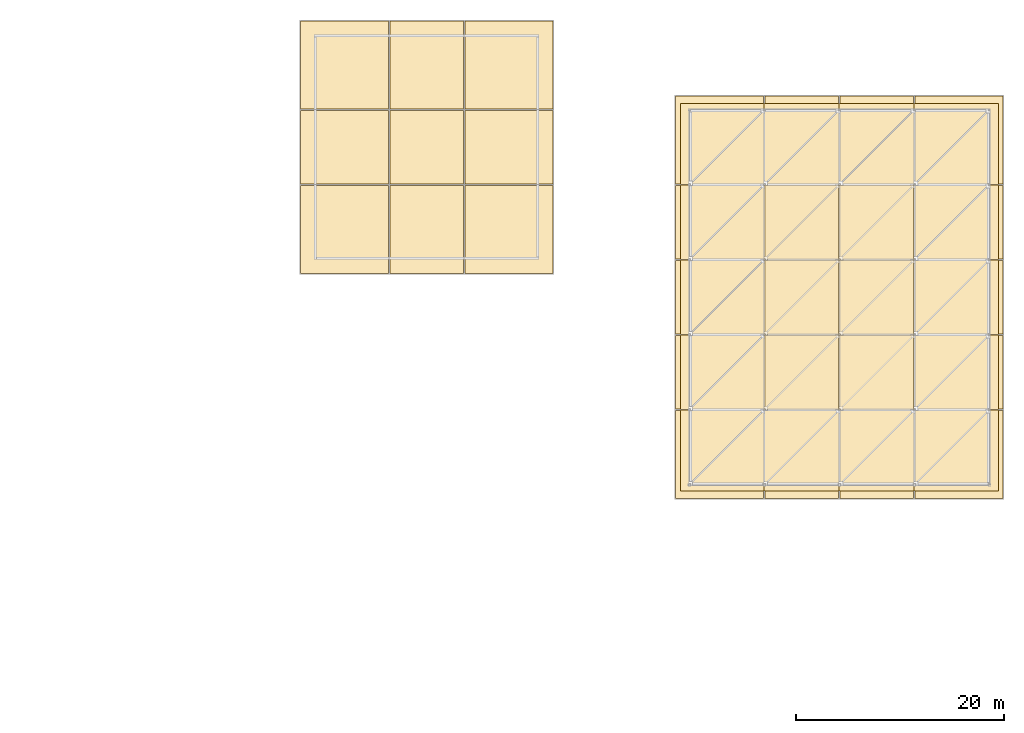
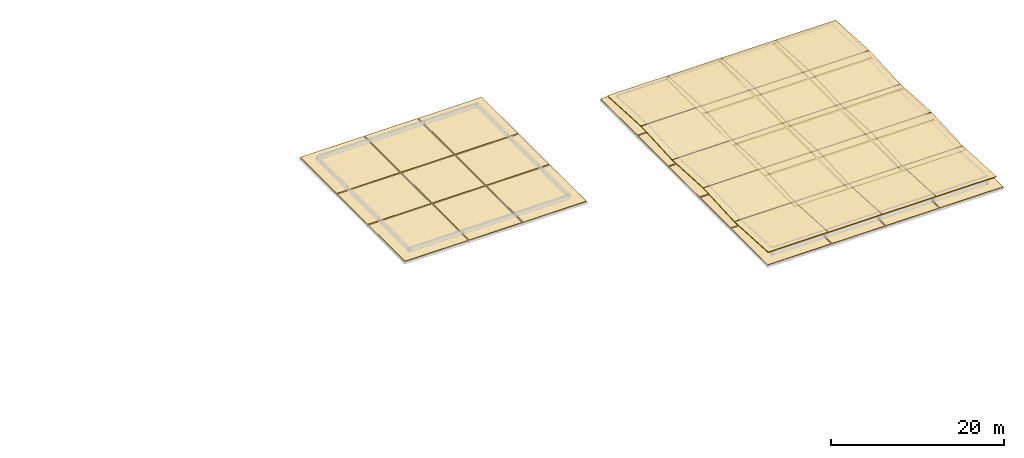
# One storey, part 15 of 15: 49 coverings.
"""IFC4 building model written with IfcOpenShell, lengths in metres."""

from ifc_helpers import new_model, si_unit, direction, frame, origin, place, context, subcontext, project, spatial, polyline, outline, extrude, material, layer, layer_set, type_object, element, save


model = new_model("IFC4")

# Units and contexts
model_context = context("Model", 3, precision=1e-05, world=origin(), true_north=direction((0.0, 1.0)))
body_context = subcontext(model_context, "Body", "Model", "MODEL_VIEW")
ifc_project = project(units=[si_unit("LENGTHUNIT", "METRE"), si_unit("AREAUNIT", "SQUARE_METRE"), si_unit("VOLUMEUNIT", "CUBIC_METRE"), si_unit("PLANEANGLEUNIT", "RADIAN"), si_unit("MASSUNIT", "GRAM", prefix="KILO")], contexts=[model_context])

# Site, building, storey
site_placement = place(None, origin())
site = spatial("IfcSite", under=ifc_project, at=site_placement, CompositionType="ELEMENT")
building_placement = place(site_placement, origin())
building = spatial("IfcBuilding", under=site, at=building_placement, Name="Kavelor Marine Aquarium", CompositionType="ELEMENT")
storey_placement = place(building_placement, frame((0.0, 0.0, 25.56005859375)))
storey = spatial("IfcBuildingStorey", under=building, at=storey_placement, Name="RF", CompositionType="ELEMENT", Elevation=25.56005859375)

# Coverings
ifc_material_1 = material(Name="Monocrystalline Marine Solar Photovoltaic Canopy Deck")
ifc_layer_1 = layer(ifc_material_1, 0.090087890625)
ifc_layer_set_1 = layer_set([ifc_layer_1], Name="COV-PV1")
covering_type_1 = type_object("IfcCoveringType", Name="COV-PV1", PredefinedType="ROOFING", material=ifc_layer_set_1)
covering_1_placement = place(storey_placement, frame((117.550048828125, 67.0, 1.26318359375), z_axis=(0.0, 0.055457872392, 0.998461027977), x_axis=(1.0, 0.0, 0.0)))
element("IfcCovering", 1, at=covering_1_placement, inside=storey, type_object=covering_type_1, Name="pv:cov:RF:16_09", PredefinedType="ROOFING", context=body_context, shape_type="SweptSolid", body=[
    extrude(outline(polyline([(0.0, 0.0), (8.030029296875, 0.0), (8.030029296875, 7.792020999192066), (0.0, 7.792020999192066), (0.0, 0.0)])), origin(), (0.0, 0.0, -1.0), 0.090087890625),
])
for number, where, z_axis, x_axis, name in (
    (2, (117.550048828125, 74.820068359375, 0.8310546875), (0.0, -0.055460591555, 0.998460876942), (1.0, 0.0, 0.0), "pv:cov:RF:16_10"),
    (3, (117.550048828125, 82.02001953125, 1.228759765625), (0.0, 0.055460591555, 0.998460876942), (1.0, 0.0, 0.0), "pv:cov:RF:16_11"),
    (4, (117.550048828125, 89.219970703125, 0.8310546875), (0.0, -0.055460591555, 0.998460876942), (1.0, 0.0, 0.0), "pv:cov:RF:16_12"),
):
    element("IfcCovering", number, at=place(storey_placement, frame(where, z_axis=z_axis, x_axis=x_axis)), inside=storey, type_object=covering_type_1, Name=name, PredefinedType="ROOFING", context=body_context, shape_type="SweptSolid", body=[
        extrude(outline(polyline([(0.0, 0.0), (8.030029296875, 0.0), (8.030029296875, 7.170949082453533), (0.0, 7.170949082453533), (0.0, 0.0)])), origin(), (0.0, 0.0, -1.0), 0.090087890625),
    ])
covering_2_placement = place(storey_placement, frame((117.550048828125, 96.419921875, 1.228759765625), z_axis=(0.0, 0.055457872392, 0.998461027977), x_axis=(1.0, 0.0, 0.0)))
element("IfcCovering", 5, at=covering_2_placement, inside=storey, type_object=covering_type_1, Name="pv:cov:RF:16_13", PredefinedType="ROOFING", context=body_context, shape_type="SweptSolid", body=[
    extrude(outline(polyline([(0.0, 0.0), (8.030029296875, 0.0), (8.030029296875, 7.792020999192066), (0.0, 7.792020999192066), (0.0, 0.0)])), origin(), (0.0, 0.0, -1.0), 0.090087890625),
])
covering_3_placement = place(storey_placement, frame((125.580078125, 67.0, 1.26318359375), z_axis=(0.0, 0.055457872392, 0.998461027977), x_axis=(1.0, 0.0, 0.0)))
element("IfcCovering", 6, at=covering_3_placement, inside=storey, type_object=covering_type_1, Name="pv:cov:RF:17_09", PredefinedType="ROOFING", context=body_context, shape_type="SweptSolid", body=[
    extrude(outline(polyline([(0.0, 0.0), (7.199951171875, 0.0), (7.199951171875, 7.792020999192066), (0.0, 7.792020999192066), (0.0, 0.0)])), origin(), (0.0, 0.0, -1.0), 0.090087890625),
])
for number, where, z_axis, x_axis, name in (
    (7, (125.580078125, 74.820068359375, 0.8310546875), (0.0, -0.055460591555, 0.998460876942), (1.0, 0.0, 0.0), "pv:cov:RF:17_10"),
    (8, (125.580078125, 82.02001953125, 1.228759765625), (0.0, 0.055460591555, 0.998460876942), (1.0, 0.0, 0.0), "pv:cov:RF:17_11"),
    (9, (125.580078125, 89.219970703125, 0.8310546875), (0.0, -0.055460591555, 0.998460876942), (1.0, 0.0, 0.0), "pv:cov:RF:17_12"),
):
    element("IfcCovering", number, at=place(storey_placement, frame(where, z_axis=z_axis, x_axis=x_axis)), inside=storey, type_object=covering_type_1, Name=name, PredefinedType="ROOFING", context=body_context, shape_type="SweptSolid", body=[
        extrude(outline(polyline([(0.0, 0.0), (7.199951171875, 0.0), (7.199951171875, 7.170949082453534), (0.0, 7.170949082453534), (0.0, 0.0)])), origin(), (0.0, 0.0, -1.0), 0.090087890625),
    ])
for number, where, z_axis, x_axis, name in (
    (10, (125.580078125, 96.419921875, 1.228759765625), (0.0, 0.055457872392, 0.998461027977), (1.0, 0.0, 0.0), "pv:cov:RF:17_13"),
    (11, (132.780029296875, 67.0, 1.26318359375), (0.0, 0.055457872392, 0.998461027977), (1.0, 0.0, 0.0), "pv:cov:RF:18_09"),
):
    element("IfcCovering", number, at=place(storey_placement, frame(where, z_axis=z_axis, x_axis=x_axis)), inside=storey, type_object=covering_type_1, Name=name, PredefinedType="ROOFING", context=body_context, shape_type="SweptSolid", body=[
        extrude(outline(polyline([(0.0, 0.0), (7.199951171875, 0.0), (7.199951171875, 7.792020999192066), (0.0, 7.792020999192066), (0.0, 0.0)])), origin(), (0.0, 0.0, -1.0), 0.090087890625),
    ])
for number, where, z_axis, x_axis, name in (
    (12, (132.780029296875, 74.820068359375, 0.8310546875), (0.0, -0.055460591555, 0.998460876942), (1.0, 0.0, 0.0), "pv:cov:RF:18_10"),
    (13, (132.780029296875, 82.02001953125, 1.228759765625), (0.0, 0.055460591555, 0.998460876942), (1.0, 0.0, 0.0), "pv:cov:RF:18_11"),
    (14, (132.780029296875, 89.219970703125, 0.8310546875), (0.0, -0.055460591555, 0.998460876942), (1.0, 0.0, 0.0), "pv:cov:RF:18_12"),
):
    element("IfcCovering", number, at=place(storey_placement, frame(where, z_axis=z_axis, x_axis=x_axis)), inside=storey, type_object=covering_type_1, Name=name, PredefinedType="ROOFING", context=body_context, shape_type="SweptSolid", body=[
        extrude(outline(polyline([(0.0, 0.0), (7.199951171875, 0.0), (7.199951171875, 7.170949082453534), (0.0, 7.170949082453534), (0.0, 0.0)])), origin(), (0.0, 0.0, -1.0), 0.090087890625),
    ])
covering_4_placement = place(storey_placement, frame((132.780029296875, 96.419921875, 1.228759765625), z_axis=(0.0, 0.055457872392, 0.998461027977), x_axis=(1.0, 0.0, 0.0)))
element("IfcCovering", 15, at=covering_4_placement, inside=storey, type_object=covering_type_1, Name="pv:cov:RF:18_13", PredefinedType="ROOFING", context=body_context, shape_type="SweptSolid", body=[
    extrude(outline(polyline([(0.0, 0.0), (7.199951171875, 0.0), (7.199951171875, 7.792020999192066), (0.0, 7.792020999192066), (0.0, 0.0)])), origin(), (0.0, 0.0, -1.0), 0.090087890625),
])
covering_5_placement = place(storey_placement, frame((139.97998046875, 67.0, 1.26318359375), z_axis=(0.0, 0.055457872392, 0.998461027977), x_axis=(1.0, 0.0, 0.0)))
element("IfcCovering", 16, at=covering_5_placement, inside=storey, type_object=covering_type_1, Name="pv:cov:RF:19_09", PredefinedType="ROOFING", context=body_context, shape_type="SweptSolid", body=[
    extrude(outline(polyline([(0.0, 0.0), (8.070068359375, 0.0), (8.070068359375, 7.792020999192066), (0.0, 7.792020999192066), (0.0, 0.0)])), origin(), (0.0, 0.0, -1.0), 0.090087890625),
])
for number, where, z_axis, x_axis, name in (
    (17, (139.97998046875, 74.820068359375, 0.8310546875), (0.0, -0.055460591555, 0.998460876942), (1.0, 0.0, 0.0), "pv:cov:RF:19_10"),
    (18, (139.97998046875, 82.02001953125, 1.228759765625), (0.0, 0.055460591555, 0.998460876942), (1.0, 0.0, 0.0), "pv:cov:RF:19_11"),
    (19, (139.97998046875, 89.219970703125, 0.8310546875), (0.0, -0.055460591555, 0.998460876942), (1.0, 0.0, 0.0), "pv:cov:RF:19_12"),
):
    element("IfcCovering", number, at=place(storey_placement, frame(where, z_axis=z_axis, x_axis=x_axis)), inside=storey, type_object=covering_type_1, Name=name, PredefinedType="ROOFING", context=body_context, shape_type="SweptSolid", body=[
        extrude(outline(polyline([(0.0, 0.0), (8.070068359375, 0.0), (8.070068359375, 7.170949082453533), (0.0, 7.170949082453533), (0.0, 0.0)])), origin(), (0.0, 0.0, -1.0), 0.090087890625),
    ])
covering_6_placement = place(storey_placement, frame((139.97998046875, 96.419921875, 1.228759765625), z_axis=(0.0, 0.055457872392, 0.998461027977), x_axis=(1.0, 0.0, 0.0)))
element("IfcCovering", 20, at=covering_6_placement, inside=storey, type_object=covering_type_1, Name="pv:cov:RF:19_13", PredefinedType="ROOFING", context=body_context, shape_type="SweptSolid", body=[
    extrude(outline(polyline([(0.0, 0.0), (8.070068359375, 0.0), (8.070068359375, 7.792020999192066), (0.0, 7.792020999192066), (0.0, 0.0)])), origin(), (0.0, 0.0, -1.0), 0.090087890625),
])
ifc_material_2 = material(Name="TPO Reflective Waterproof Roofing Membrane")
ifc_layer_2 = layer(ifc_material_2, 0.06005859375)
ifc_layer_set_2 = layer_set([ifc_layer_2], Name="COV-RF1")
covering_type_2 = type_object("IfcCoveringType", Name="COV-RF1", PredefinedType="ROOFING", material=ifc_layer_set_2)
covering_7_placement = place(storey_placement, origin())
element("IfcCovering", 21, at=covering_7_placement, inside=storey, type_object=covering_type_2, Name="rcov:RF:11_12", PredefinedType="ROOFING", context=body_context, shape_type="SweptSolid", body=[
    extrude(outline(polyline([(81.080078125, 87.8798828125), (89.52001953125, 87.8798828125), (89.52001953125, 96.320068359375), (81.080078125, 96.320068359375), (81.080078125, 87.8798828125)])), origin(), (0.0, 0.0, 1.0), 0.06005859375),
])
covering_8_placement = place(storey_placement, origin())
element("IfcCovering", 22, at=covering_8_placement, inside=storey, type_object=covering_type_2, Name="rcov:RF:11_13", PredefinedType="ROOFING", context=body_context, shape_type="SweptSolid", body=[
    extrude(outline(polyline([(81.080078125, 96.47998046875), (89.52001953125, 96.47998046875), (89.52001953125, 103.52001953125), (81.080078125, 103.52001953125), (81.080078125, 96.47998046875)])), origin(), (0.0, 0.0, 1.0), 0.06005859375),
])
covering_9_placement = place(storey_placement, origin())
element("IfcCovering", 23, at=covering_9_placement, inside=storey, type_object=covering_type_2, Name="rcov:RF:11_14", PredefinedType="ROOFING", context=body_context, shape_type="SweptSolid", body=[
    extrude(outline(polyline([(81.080078125, 103.679931640625), (89.52001953125, 103.679931640625), (89.52001953125, 112.1201171875), (81.080078125, 112.1201171875), (81.080078125, 103.679931640625)])), origin(), (0.0, 0.0, 1.0), 0.06005859375),
])
covering_10_placement = place(storey_placement, origin())
element("IfcCovering", 24, at=covering_10_placement, inside=storey, type_object=covering_type_2, Name="rcov:RF:12_12", PredefinedType="ROOFING", context=body_context, shape_type="SweptSolid", body=[
    extrude(outline(polyline([(89.679931640625, 87.8798828125), (96.719970703125, 87.8798828125), (96.719970703125, 96.320068359375), (89.679931640625, 96.320068359375), (89.679931640625, 87.8798828125)])), origin(), (0.0, 0.0, 1.0), 0.06005859375),
])
covering_11_placement = place(storey_placement, origin())
element("IfcCovering", 25, at=covering_11_placement, inside=storey, type_object=covering_type_2, Name="rcov:RF:12_13", PredefinedType="ROOFING", context=body_context, shape_type="SweptSolid", body=[
    extrude(outline(polyline([(89.679931640625, 96.47998046875), (96.719970703125, 96.47998046875), (96.719970703125, 103.52001953125), (89.679931640625, 103.52001953125), (89.679931640625, 96.47998046875)])), origin(), (0.0, 0.0, 1.0), 0.06005859375),
])
covering_12_placement = place(storey_placement, origin())
element("IfcCovering", 26, at=covering_12_placement, inside=storey, type_object=covering_type_2, Name="rcov:RF:12_14", PredefinedType="ROOFING", context=body_context, shape_type="SweptSolid", body=[
    extrude(outline(polyline([(89.679931640625, 103.679931640625), (96.719970703125, 103.679931640625), (96.719970703125, 112.1201171875), (89.679931640625, 112.1201171875), (89.679931640625, 103.679931640625)])), origin(), (0.0, 0.0, 1.0), 0.06005859375),
])
covering_13_placement = place(storey_placement, origin())
element("IfcCovering", 27, at=covering_13_placement, inside=storey, type_object=covering_type_2, Name="rcov:RF:13_12", PredefinedType="ROOFING", context=body_context, shape_type="SweptSolid", body=[
    extrude(outline(polyline([(96.8798828125, 87.8798828125), (105.320068359375, 87.8798828125), (105.320068359375, 96.320068359375), (96.8798828125, 96.320068359375), (96.8798828125, 87.8798828125)])), origin(), (0.0, 0.0, 1.0), 0.06005859375),
])
covering_14_placement = place(storey_placement, origin())
element("IfcCovering", 28, at=covering_14_placement, inside=storey, type_object=covering_type_2, Name="rcov:RF:13_13", PredefinedType="ROOFING", context=body_context, shape_type="SweptSolid", body=[
    extrude(outline(polyline([(96.8798828125, 96.47998046875), (105.320068359375, 96.47998046875), (105.320068359375, 103.52001953125), (96.8798828125, 103.52001953125), (96.8798828125, 96.47998046875)])), origin(), (0.0, 0.0, 1.0), 0.06005859375),
])
covering_15_placement = place(storey_placement, origin())
element("IfcCovering", 29, at=covering_15_placement, inside=storey, type_object=covering_type_2, Name="rcov:RF:13_14", PredefinedType="ROOFING", context=body_context, shape_type="SweptSolid", body=[
    extrude(outline(polyline([(96.8798828125, 103.679931640625), (105.320068359375, 103.679931640625), (105.320068359375, 112.1201171875), (96.8798828125, 112.1201171875), (96.8798828125, 103.679931640625)])), origin(), (0.0, 0.0, 1.0), 0.06005859375),
])
covering_16_placement = place(storey_placement, origin())
element("IfcCovering", 30, at=covering_16_placement, inside=storey, type_object=covering_type_2, Name="rcov:RF:16_09", PredefinedType="ROOFING", context=body_context, shape_type="SweptSolid", body=[
    extrude(outline(polyline([(117.080078125, 66.280029296875), (125.52001953125, 66.280029296875), (125.52001953125, 74.719970703125), (117.080078125, 74.719970703125), (117.080078125, 66.280029296875)])), origin(), (0.0, 0.0, 1.0), 0.06005859375),
])
covering_17_placement = place(storey_placement, origin())
element("IfcCovering", 31, at=covering_17_placement, inside=storey, type_object=covering_type_2, Name="rcov:RF:16_10", PredefinedType="ROOFING", context=body_context, shape_type="SweptSolid", body=[
    extrude(outline(polyline([(117.080078125, 74.8798828125), (125.52001953125, 74.8798828125), (125.52001953125, 81.919921875), (117.080078125, 81.919921875), (117.080078125, 74.8798828125)])), origin(), (0.0, 0.0, 1.0), 0.06005859375),
])
covering_18_placement = place(storey_placement, origin())
element("IfcCovering", 32, at=covering_18_placement, inside=storey, type_object=covering_type_2, Name="rcov:RF:16_11", PredefinedType="ROOFING", context=body_context, shape_type="SweptSolid", body=[
    extrude(outline(polyline([(117.080078125, 82.080078125), (125.52001953125, 82.080078125), (125.52001953125, 89.1201171875), (117.080078125, 89.1201171875), (117.080078125, 82.080078125)])), origin(), (0.0, 0.0, 1.0), 0.06005859375),
])
covering_19_placement = place(storey_placement, origin())
element("IfcCovering", 33, at=covering_19_placement, inside=storey, type_object=covering_type_2, Name="rcov:RF:16_12", PredefinedType="ROOFING", context=body_context, shape_type="SweptSolid", body=[
    extrude(outline(polyline([(117.080078125, 89.280029296875), (125.52001953125, 89.280029296875), (125.52001953125, 96.320068359375), (117.080078125, 96.320068359375), (117.080078125, 89.280029296875)])), origin(), (0.0, 0.0, 1.0), 0.06005859375),
])
covering_20_placement = place(storey_placement, origin())
element("IfcCovering", 34, at=covering_20_placement, inside=storey, type_object=covering_type_2, Name="rcov:RF:16_13", PredefinedType="ROOFING", context=body_context, shape_type="SweptSolid", body=[
    extrude(outline(polyline([(117.080078125, 96.47998046875), (125.52001953125, 96.47998046875), (125.52001953125, 104.919921875), (117.080078125, 104.919921875), (117.080078125, 96.47998046875)])), origin(), (0.0, 0.0, 1.0), 0.06005859375),
])
covering_21_placement = place(storey_placement, origin())
element("IfcCovering", 35, at=covering_21_placement, inside=storey, type_object=covering_type_2, Name="rcov:RF:17_09", PredefinedType="ROOFING", context=body_context, shape_type="SweptSolid", body=[
    extrude(outline(polyline([(125.679931640625, 66.280029296875), (132.719970703125, 66.280029296875), (132.719970703125, 74.719970703125), (125.679931640625, 74.719970703125), (125.679931640625, 66.280029296875)])), origin(), (0.0, 0.0, 1.0), 0.06005859375),
])
covering_22_placement = place(storey_placement, origin())
element("IfcCovering", 36, at=covering_22_placement, inside=storey, type_object=covering_type_2, Name="rcov:RF:17_10", PredefinedType="ROOFING", context=body_context, shape_type="SweptSolid", body=[
    extrude(outline(polyline([(125.679931640625, 74.8798828125), (132.719970703125, 74.8798828125), (132.719970703125, 81.919921875), (125.679931640625, 81.919921875), (125.679931640625, 74.8798828125)])), origin(), (0.0, 0.0, 1.0), 0.06005859375),
])
covering_23_placement = place(storey_placement, origin())
element("IfcCovering", 37, at=covering_23_placement, inside=storey, type_object=covering_type_2, Name="rcov:RF:17_11", PredefinedType="ROOFING", context=body_context, shape_type="SweptSolid", body=[
    extrude(outline(polyline([(125.679931640625, 82.080078125), (132.719970703125, 82.080078125), (132.719970703125, 89.1201171875), (125.679931640625, 89.1201171875), (125.679931640625, 82.080078125)])), origin(), (0.0, 0.0, 1.0), 0.06005859375),
])
covering_24_placement = place(storey_placement, origin())
element("IfcCovering", 38, at=covering_24_placement, inside=storey, type_object=covering_type_2, Name="rcov:RF:17_12", PredefinedType="ROOFING", context=body_context, shape_type="SweptSolid", body=[
    extrude(outline(polyline([(125.679931640625, 89.280029296875), (132.719970703125, 89.280029296875), (132.719970703125, 96.320068359375), (125.679931640625, 96.320068359375), (125.679931640625, 89.280029296875)])), origin(), (0.0, 0.0, 1.0), 0.06005859375),
])
covering_25_placement = place(storey_placement, origin())
element("IfcCovering", 39, at=covering_25_placement, inside=storey, type_object=covering_type_2, Name="rcov:RF:17_13", PredefinedType="ROOFING", context=body_context, shape_type="SweptSolid", body=[
    extrude(outline(polyline([(125.679931640625, 96.47998046875), (132.719970703125, 96.47998046875), (132.719970703125, 104.919921875), (125.679931640625, 104.919921875), (125.679931640625, 96.47998046875)])), origin(), (0.0, 0.0, 1.0), 0.06005859375),
])
covering_26_placement = place(storey_placement, origin())
element("IfcCovering", 40, at=covering_26_placement, inside=storey, type_object=covering_type_2, Name="rcov:RF:18_09", PredefinedType="ROOFING", context=body_context, shape_type="SweptSolid", body=[
    extrude(outline(polyline([(132.8798828125, 66.280029296875), (139.919921875, 66.280029296875), (139.919921875, 74.719970703125), (132.8798828125, 74.719970703125), (132.8798828125, 66.280029296875)])), origin(), (0.0, 0.0, 1.0), 0.06005859375),
])
covering_27_placement = place(storey_placement, origin())
element("IfcCovering", 41, at=covering_27_placement, inside=storey, type_object=covering_type_2, Name="rcov:RF:18_10", PredefinedType="ROOFING", context=body_context, shape_type="SweptSolid", body=[
    extrude(outline(polyline([(132.8798828125, 74.8798828125), (139.919921875, 74.8798828125), (139.919921875, 81.919921875), (132.8798828125, 81.919921875), (132.8798828125, 74.8798828125)])), origin(), (0.0, 0.0, 1.0), 0.06005859375),
])
covering_28_placement = place(storey_placement, origin())
element("IfcCovering", 42, at=covering_28_placement, inside=storey, type_object=covering_type_2, Name="rcov:RF:18_11", PredefinedType="ROOFING", context=body_context, shape_type="SweptSolid", body=[
    extrude(outline(polyline([(132.8798828125, 82.080078125), (139.919921875, 82.080078125), (139.919921875, 89.1201171875), (132.8798828125, 89.1201171875), (132.8798828125, 82.080078125)])), origin(), (0.0, 0.0, 1.0), 0.06005859375),
])
covering_29_placement = place(storey_placement, origin())
element("IfcCovering", 43, at=covering_29_placement, inside=storey, type_object=covering_type_2, Name="rcov:RF:18_12", PredefinedType="ROOFING", context=body_context, shape_type="SweptSolid", body=[
    extrude(outline(polyline([(132.8798828125, 89.280029296875), (139.919921875, 89.280029296875), (139.919921875, 96.320068359375), (132.8798828125, 96.320068359375), (132.8798828125, 89.280029296875)])), origin(), (0.0, 0.0, 1.0), 0.06005859375),
])
covering_30_placement = place(storey_placement, origin())
element("IfcCovering", 44, at=covering_30_placement, inside=storey, type_object=covering_type_2, Name="rcov:RF:18_13", PredefinedType="ROOFING", context=body_context, shape_type="SweptSolid", body=[
    extrude(outline(polyline([(132.8798828125, 96.47998046875), (139.919921875, 96.47998046875), (139.919921875, 104.919921875), (132.8798828125, 104.919921875), (132.8798828125, 96.47998046875)])), origin(), (0.0, 0.0, 1.0), 0.06005859375),
])
covering_31_placement = place(storey_placement, origin())
element("IfcCovering", 45, at=covering_31_placement, inside=storey, type_object=covering_type_2, Name="rcov:RF:19_09", PredefinedType="ROOFING", context=body_context, shape_type="SweptSolid", body=[
    extrude(outline(polyline([(140.080078125, 66.280029296875), (148.52001953125, 66.280029296875), (148.52001953125, 74.719970703125), (140.080078125, 74.719970703125), (140.080078125, 66.280029296875)])), origin(), (0.0, 0.0, 1.0), 0.06005859375),
])
covering_32_placement = place(storey_placement, origin())
element("IfcCovering", 46, at=covering_32_placement, inside=storey, type_object=covering_type_2, Name="rcov:RF:19_10", PredefinedType="ROOFING", context=body_context, shape_type="SweptSolid", body=[
    extrude(outline(polyline([(140.080078125, 74.8798828125), (148.52001953125, 74.8798828125), (148.52001953125, 81.919921875), (140.080078125, 81.919921875), (140.080078125, 74.8798828125)])), origin(), (0.0, 0.0, 1.0), 0.06005859375),
])
covering_33_placement = place(storey_placement, origin())
element("IfcCovering", 47, at=covering_33_placement, inside=storey, type_object=covering_type_2, Name="rcov:RF:19_11", PredefinedType="ROOFING", context=body_context, shape_type="SweptSolid", body=[
    extrude(outline(polyline([(140.080078125, 82.080078125), (148.52001953125, 82.080078125), (148.52001953125, 89.1201171875), (140.080078125, 89.1201171875), (140.080078125, 82.080078125)])), origin(), (0.0, 0.0, 1.0), 0.06005859375),
])
covering_34_placement = place(storey_placement, origin())
element("IfcCovering", 48, at=covering_34_placement, inside=storey, type_object=covering_type_2, Name="rcov:RF:19_12", PredefinedType="ROOFING", context=body_context, shape_type="SweptSolid", body=[
    extrude(outline(polyline([(140.080078125, 89.280029296875), (148.52001953125, 89.280029296875), (148.52001953125, 96.320068359375), (140.080078125, 96.320068359375), (140.080078125, 89.280029296875)])), origin(), (0.0, 0.0, 1.0), 0.06005859375),
])
covering_35_placement = place(storey_placement, origin())
element("IfcCovering", 49, at=covering_35_placement, inside=storey, type_object=covering_type_2, Name="rcov:RF:19_13", PredefinedType="ROOFING", context=body_context, shape_type="SweptSolid", body=[
    extrude(outline(polyline([(140.080078125, 96.47998046875), (148.52001953125, 96.47998046875), (148.52001953125, 104.919921875), (140.080078125, 104.919921875), (140.080078125, 96.47998046875)])), origin(), (0.0, 0.0, 1.0), 0.06005859375),
])

save(model, "model.ifc")
